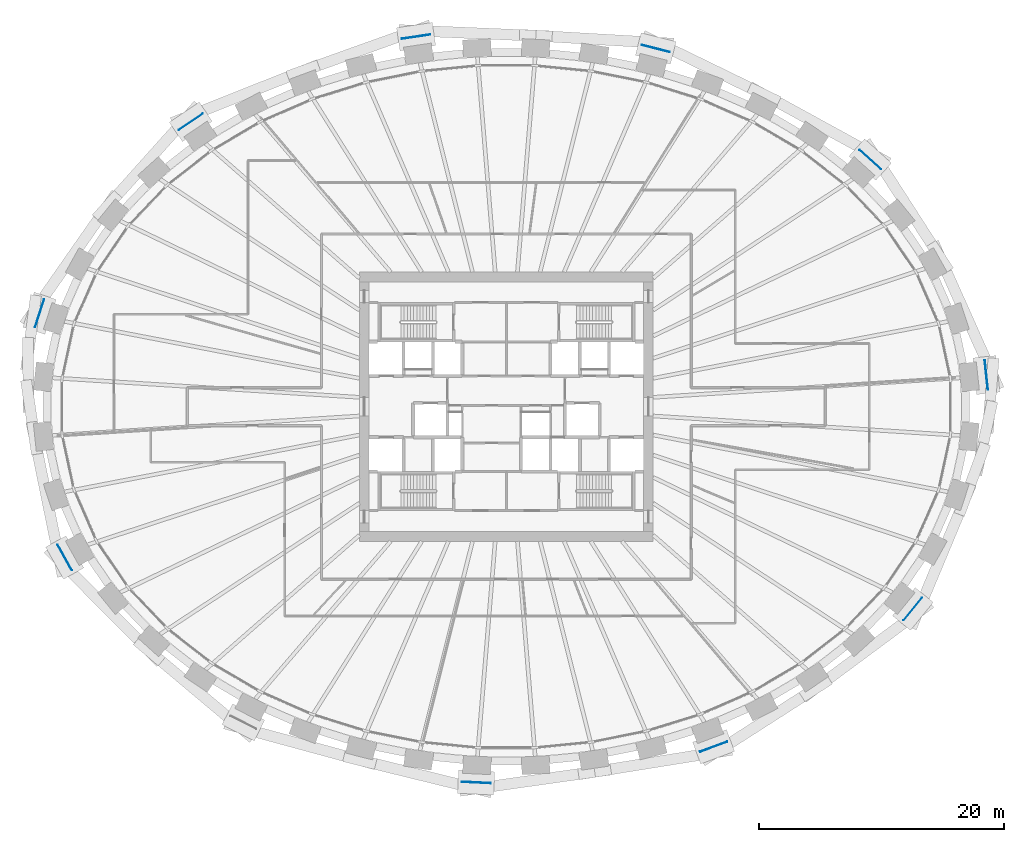
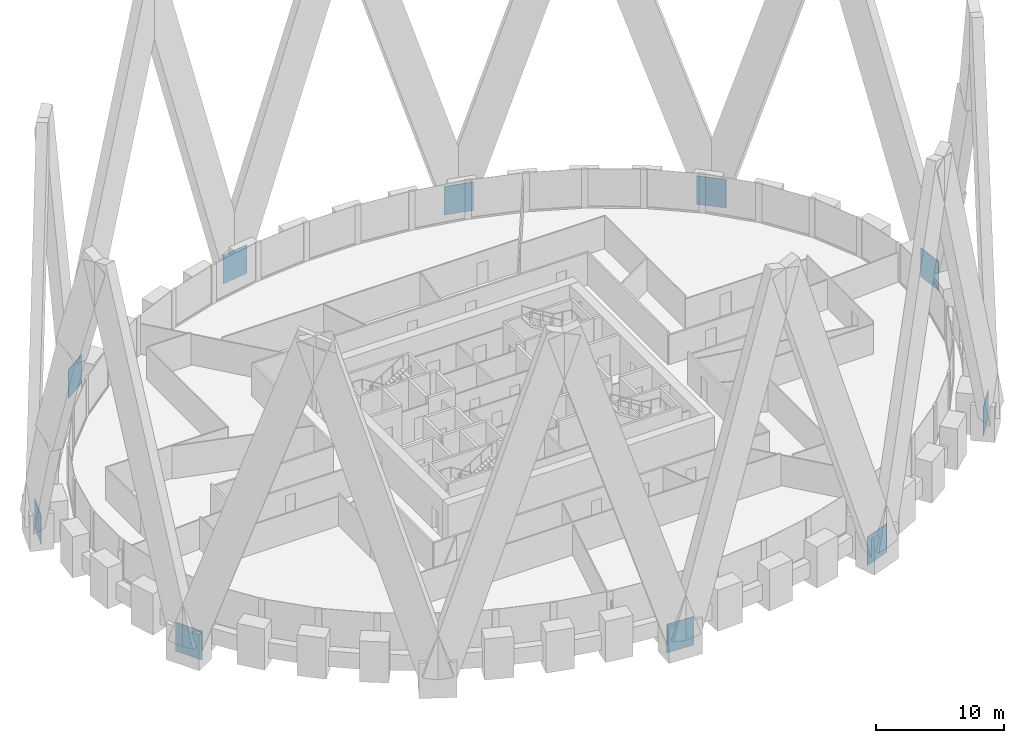
# One storey, part 11 of 12: 10 discrete accessories.
"""IFC4 building model written with IfcOpenShell, lengths in metres."""

from ifc_helpers import new_model, si_unit, direction, frame, origin, origin_2d, place, context, subcontext, project, spatial, rectangle, extrude, source, transform, mapped, material, type_object, element, save


model = new_model("IFC4")

# Units and contexts
model_context = context("Model", 3, precision=1e-05, world=origin(), true_north=direction((0.0, 1.0)))
body_context = subcontext(model_context, "Body", "Model", "MODEL_VIEW")
ifc_project = project(units=[si_unit("LENGTHUNIT", "METRE"), si_unit("AREAUNIT", "SQUARE_METRE"), si_unit("VOLUMEUNIT", "CUBIC_METRE"), si_unit("PLANEANGLEUNIT", "RADIAN"), si_unit("MASSUNIT", "GRAM", prefix="KILO")], contexts=[model_context])

# Site, building, storey
site_placement = place(None, origin())
site = spatial("IfcSite", under=ifc_project, at=site_placement, CompositionType="ELEMENT")
building_placement = place(site_placement, origin())
building = spatial("IfcBuilding", under=site, at=building_placement, Name="Embergate Tower", CompositionType="ELEMENT")
storey_placement = place(building_placement, frame((0.0, 0.0, 159.89990234375)))
storey = spatial("IfcBuildingStorey", under=building, at=storey_placement, Name="L35", CompositionType="ELEMENT", Elevation=159.89990234375)

# Discrete accessories
ifc_material = material(Name="Steel Q355D plate", Category="steel")
discrete_accessory_type = type_object("IfcDiscreteAccessoryType", Name="Lattice node plate", PredefinedType="USERDEFINED", material=ifc_material)
shared_shape_1 = source(origin(), body_context, "Body", "SweptSolid", [
    extrude(rectangle(XDim=2.39990234375, YDim=0.050048828125, at=origin_2d()), origin(), (0.0, 0.0, 1.0), 2.760009765625),
])
for number, where, z_axis, x_axis, name in (
    (1, (39.208984375, 2.583984375, -1.3798828125), (0.0, 0.0, 1.0), (-0.106749983816, 0.99428589498, 0.0), "Node plate"),
    (2, (-38.1240234375, 7.6259765625, -1.3798828125), (0.0, 0.0, 1.0), (-0.309946394413, -0.950754033697, 0.0), "Node plate"),
    (3, (-36.06591796875, -12.321044921875, -1.3798828125), (0.0, 0.0, 1.0), (0.486838556403, -0.873491969053, 0.0), "Node plate"),
):
    element("IfcDiscreteAccessory", number, at=place(storey_placement, frame(where, z_axis=z_axis, x_axis=x_axis)), inside=storey, type_object=discrete_accessory_type, Name=name, ObjectType="BRACKET", PredefinedType="USERDEFINED", context=body_context, shape_type="MappedRepresentation", body=[
        mapped(shared_shape_1, transform((0.0, 0.0, 0.0))),
    ])
shared_shape_2 = source(origin(), body_context, "Body", "SweptSolid", [
    extrude(rectangle(XDim=2.360107421875, YDim=0.050048828125, at=origin_2d()), origin(), (0.0, 0.0, 1.0), 2.719970703125),
])
for number, where, z_axis, x_axis, name in (
    (4, (29.722900390625, 20.180908203125, -1.35986328125), (0.0, 0.0, 1.0), (-0.74307475021, 0.669208424634, 0.0), "Node plate"),
    (5, (12.20703125, 29.25, -1.35986328125), (0.0, 0.0, 1.0), (-0.969144926951, 0.246491603437, 0.0), "Node plate"),
    (6, (-7.368896484375, 30.220947265625, -1.35986328125), (0.0, 0.0, 1.0), (-0.989147039346, -0.146929011949, 0.0), "Node plate"),
    (7, (-25.77197265625, 23.264892578125, -1.35986328125), (0.0, 0.0, 1.0), (-0.828226643109, -0.560393279442, 0.0), "Node plate"),
    (8, (-2.462890625, -30.702880859375, -1.35986328125), (0.0, 0.0, 1.0), (0.998807841912, -0.048814904854, 0.0), "Node plate"),
    (9, (16.929931640625, -27.779052734375, -1.35986328125), (0.0, 0.0, 1.0), (0.93736713373, 0.348343015724, 0.0), "Node plate"),
    (10, (33.2060546875, -16.528076171875, -1.35986328125), (0.0, 0.0, 1.0), (0.630838328377, 0.775914301615, 0.0), "Node plate"),
):
    element("IfcDiscreteAccessory", number, at=place(storey_placement, frame(where, z_axis=z_axis, x_axis=x_axis)), inside=storey, type_object=discrete_accessory_type, Name=name, ObjectType="BRACKET", PredefinedType="USERDEFINED", context=body_context, shape_type="MappedRepresentation", body=[
        mapped(shared_shape_2, transform((0.0, 0.0, 0.0))),
    ])

save(model, "model.ifc")
